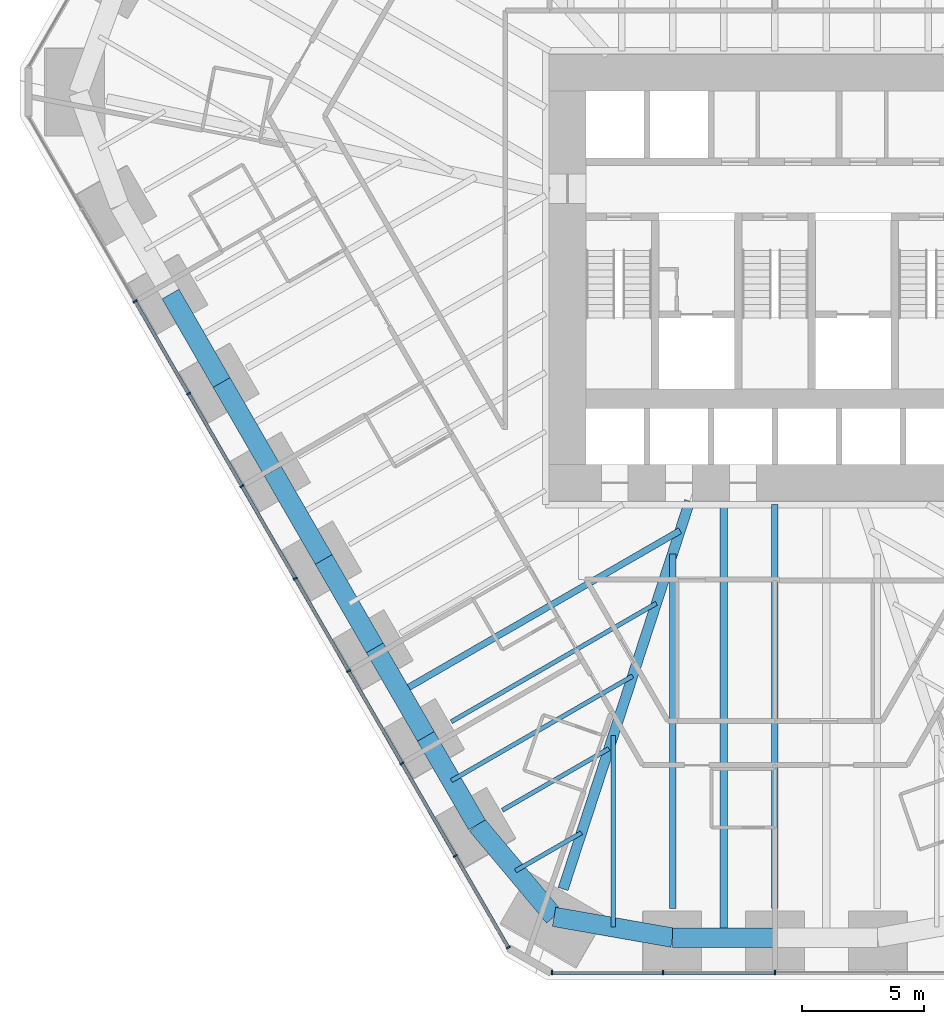
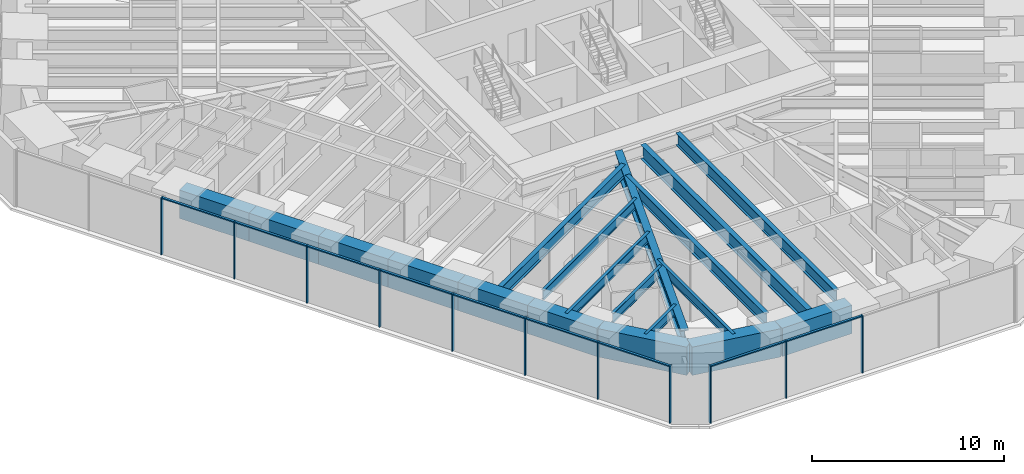
# One storey, part 2 of 17: 20 members, 19 beams, 2 elements without a shape of their own.
"""IFC4 building model written with IfcOpenShell, lengths in metres."""

from ifc_helpers import new_model, si_unit, direction, frame, origin, origin_2d, place, context, subcontext, project, spatial, rectangle, i_section, extrude, material, material_profile, profile_set, type_object, element, aggregate, save


model = new_model("IFC4")

# Units and contexts
model_context = context("Model", 3, precision=1e-05, world=origin(), true_north=direction((0.0, 1.0)))
body_context = subcontext(model_context, "Body", "Model", "MODEL_VIEW")
ifc_project = project(units=[si_unit("LENGTHUNIT", "METRE"), si_unit("AREAUNIT", "SQUARE_METRE"), si_unit("VOLUMEUNIT", "CUBIC_METRE"), si_unit("PLANEANGLEUNIT", "RADIAN"), si_unit("MASSUNIT", "GRAM", prefix="KILO")], contexts=[model_context])

# Site, building, storey
site_placement = place(None, origin())
site = spatial("IfcSite", under=ifc_project, at=site_placement, CompositionType="ELEMENT")
building_placement = place(site_placement, origin())
building = spatial("IfcBuilding", under=site, at=building_placement, Name="Sandreach Pilgrim Tower", CompositionType="ELEMENT")
storey_placement = place(building_placement, frame((0.0, 0.0, 57.199951171875)))
storey = spatial("IfcBuildingStorey", under=building, at=storey_placement, Name="L13", CompositionType="ELEMENT", Elevation=57.199951171875)

# Curtain wall, members
ifc_material_1 = material(Name="Aluminium framed curtain wall", Category="aluminium")
curtain_wall_type = type_object("IfcCurtainWallType", Name="Hostel tower curtain wall", PredefinedType="NOTDEFINED", material=ifc_material_1)
curtain_wall_1_placement = place(storey_placement, origin())
curtain_wall_1 = element("IfcCurtainWall", 1, at=curtain_wall_1_placement, inside=storey, type_object=curtain_wall_type, Name="CW-1 L13 S", PredefinedType="NOTDEFINED")
ifc_material_2 = material(Name="Aluminium extrusion", Category="aluminium")
ifc_material_profile_1 = material_profile(ifc_material_2, rectangle(XDim=0.06494140625, YDim=0.179931640625, at=origin_2d()), Name="CW-1M 65X180")
ifc_profile_set_1 = profile_set([ifc_material_profile_1], Name="Aluminium extrusion")
member_type_1 = type_object("IfcMemberType", Name="CW-1 mullion", PredefinedType="MULLION", material=ifc_profile_set_1)
member_1_placement = place(storey_placement, frame((0.0, -30.010986328125, 0.0), z_axis=(0.0, 0.0, 1.0), x_axis=(-1.0, 0.0, 0.0)))
member_1 = element("IfcMember", 2, at=member_1_placement, type_object=member_type_1, Name="CW-1 mullion 3", PredefinedType="MULLION", context=body_context, shape_type="SweptSolid", body=[
    extrude(rectangle(XDim=0.06494140625, YDim=0.179931640625, at=origin_2d()), origin(), (0.0, 0.0, 1.0), 3.64013671875),
])
member_2_placement = place(storey_placement, frame((-4.5859375, -30.010986328125, 0.0), z_axis=(0.0, 0.0, 1.0), x_axis=(-1.0, 0.0, 0.0)))
member_2 = element("IfcMember", 3, at=member_2_placement, type_object=member_type_1, Name="CW-1 mullion 4", PredefinedType="MULLION", context=body_context, shape_type="SweptSolid", body=[
    extrude(rectangle(XDim=0.06494140625, YDim=0.179931640625, at=origin_2d()), origin(), (0.0, 0.0, 1.0), 3.64013671875),
])
member_3_placement = place(storey_placement, frame((-9.1396484375, -30.010986328125, 0.0), z_axis=(0.0, 0.0, 1.0), x_axis=(-1.0, 0.0, 0.0)))
member_3 = element("IfcMember", 4, at=member_3_placement, type_object=member_type_1, Name="CW-1 mullion 5", PredefinedType="MULLION", context=body_context, shape_type="SweptSolid", body=[
    extrude(rectangle(XDim=0.06494140625, YDim=0.179931640625, at=origin_2d()), origin(), (0.0, 0.0, 1.0), 3.64013671875),
])

curtain_wall_2_placement = place(storey_placement, origin())
curtain_wall_2 = element("IfcCurtainWall", 5, at=curtain_wall_2_placement, inside=storey, type_object=curtain_wall_type, Name="CW-1 L13 SW", PredefinedType="NOTDEFINED")
member_4_placement = place(storey_placement, frame((-10.92041015625, -28.982666015625, 0.0), z_axis=(0.0, 0.0, 1.0), x_axis=(-0.5, 0.866025403784, 0.0)))
member_4 = element("IfcMember", 6, at=member_4_placement, type_object=member_type_1, Name="CW-1 mullion 1", PredefinedType="MULLION", context=body_context, shape_type="SweptSolid", body=[
    extrude(rectangle(XDim=0.06494140625, YDim=0.179931640625, at=origin_2d()), origin(), (0.0, 0.0, 1.0), 3.64013671875),
])
member_5_placement = place(storey_placement, frame((-13.08984375, -25.22509765625, 0.0), z_axis=(0.0, 0.0, 1.0), x_axis=(-0.5, 0.866025403784, 0.0)))
member_5 = element("IfcMember", 7, at=member_5_placement, type_object=member_type_1, Name="CW-1 mullion 2", PredefinedType="MULLION", context=body_context, shape_type="SweptSolid", body=[
    extrude(rectangle(XDim=0.06494140625, YDim=0.179931640625, at=origin_2d()), origin(), (0.0, 0.0, 1.0), 3.64013671875),
])
member_6_placement = place(storey_placement, frame((-15.275634765625, -21.439208984375, 0.0), z_axis=(0.0, 0.0, 1.0), x_axis=(-0.5, 0.866025403784, 0.0)))
member_6 = element("IfcMember", 8, at=member_6_placement, type_object=member_type_1, Name="CW-1 mullion 3", PredefinedType="MULLION", context=body_context, shape_type="SweptSolid", body=[
    extrude(rectangle(XDim=0.06494140625, YDim=0.179931640625, at=origin_2d()), origin(), (0.0, 0.0, 1.0), 3.64013671875),
])
member_7_placement = place(storey_placement, frame((-17.46142578125, -17.6533203125, 0.0), z_axis=(0.0, 0.0, 1.0), x_axis=(-0.5, 0.866025403784, 0.0)))
member_7 = element("IfcMember", 9, at=member_7_placement, type_object=member_type_1, Name="CW-1 mullion 4", PredefinedType="MULLION", context=body_context, shape_type="SweptSolid", body=[
    extrude(rectangle(XDim=0.06494140625, YDim=0.179931640625, at=origin_2d()), origin(), (0.0, 0.0, 1.0), 3.64013671875),
])
member_8_placement = place(storey_placement, frame((-19.647216796875, -13.8671875, 0.0), z_axis=(0.0, 0.0, 1.0), x_axis=(-0.5, 0.866025403784, 0.0)))
member_8 = element("IfcMember", 10, at=member_8_placement, type_object=member_type_1, Name="CW-1 mullion 5", PredefinedType="MULLION", context=body_context, shape_type="SweptSolid", body=[
    extrude(rectangle(XDim=0.06494140625, YDim=0.179931640625, at=origin_2d()), origin(), (0.0, 0.0, 1.0), 3.64013671875),
])
member_9_placement = place(storey_placement, frame((-21.8330078125, -10.081298828125, 0.0), z_axis=(0.0, 0.0, 1.0), x_axis=(-0.5, 0.866025403784, 0.0)))
member_9 = element("IfcMember", 11, at=member_9_placement, type_object=member_type_1, Name="CW-1 mullion 6", PredefinedType="MULLION", context=body_context, shape_type="SweptSolid", body=[
    extrude(rectangle(XDim=0.06494140625, YDim=0.179931640625, at=origin_2d()), origin(), (0.0, 0.0, 1.0), 3.64013671875),
])
member_10_placement = place(storey_placement, frame((-24.018798828125, -6.29541015625, 0.0), z_axis=(0.0, 0.0, 1.0), x_axis=(-0.5, 0.866025403784, 0.0)))
member_10 = element("IfcMember", 12, at=member_10_placement, type_object=member_type_1, Name="CW-1 mullion 7", PredefinedType="MULLION", context=body_context, shape_type="SweptSolid", body=[
    extrude(rectangle(XDim=0.06494140625, YDim=0.179931640625, at=origin_2d()), origin(), (0.0, 0.0, 1.0), 3.64013671875),
])
member_11_placement = place(storey_placement, frame((-26.20458984375, -2.509521484375, 0.0), z_axis=(0.0, 0.0, 1.0), x_axis=(-0.5, 0.866025403784, 0.0)))
member_11 = element("IfcMember", 13, at=member_11_placement, type_object=member_type_1, Name="CW-1 mullion 8", PredefinedType="MULLION", context=body_context, shape_type="SweptSolid", body=[
    extrude(rectangle(XDim=0.06494140625, YDim=0.179931640625, at=origin_2d()), origin(), (0.0, 0.0, 1.0), 3.64013671875),
])

# Member
ifc_material_3 = material(Name="Aluminium extrusion", Category="aluminium")
ifc_material_profile_2 = material_profile(ifc_material_3, rectangle(XDim=0.139892578125, YDim=0.070068359375, at=origin_2d()), Name="CW-1T 140X70")
ifc_profile_set_2 = profile_set([ifc_material_profile_2], Name="Aluminium extrusion")
member_type_2 = type_object("IfcMemberType", Name="CW-1 transom", PredefinedType="USERDEFINED", material=ifc_profile_set_2)
member_12_placement = place(storey_placement, frame((-0.032470703125, -30.010986328125, 3.60498046875), z_axis=(-1.0, 0.0, 0.0), x_axis=(0.0, -1.0, 0.0)))
member_12 = element("IfcMember", 14, at=member_12_placement, type_object=member_type_2, Name="CW-1 head transom 3", ObjectType="TRANSOM", PredefinedType="USERDEFINED", context=body_context, shape_type="SweptSolid", body=[
    extrude(rectangle(XDim=0.139892578125, YDim=0.070068359375, at=origin_2d()), origin(), (0.0, 0.0, 1.0), 4.52099609375),
])

member_13_placement = place(storey_placement, frame((-4.61865234375, -30.010986328125, 3.60498046875), z_axis=(-1.0, 0.0, 0.0), x_axis=(0.0, -1.0, 0.0)))
member_13 = element("IfcMember", 15, at=member_13_placement, type_object=member_type_2, Name="CW-1 head transom 4", ObjectType="TRANSOM", PredefinedType="USERDEFINED", context=body_context, shape_type="SweptSolid", body=[
    extrude(rectangle(XDim=0.139892578125, YDim=0.070068359375, at=origin_2d()), origin(), (0.0, 0.0, 1.0), 4.488525390625),
])

aggregate(curtain_wall_1, [member_1, member_2, member_3, member_12, member_13])

member_14_placement = place(storey_placement, frame((-10.9365234375, -28.95458984375, 3.60498046875), z_axis=(-0.500033953635, 0.866005799756, 0.0), x_axis=(-0.866005799756, -0.500033953635, 0.0)))
member_14 = element("IfcMember", 16, at=member_14_placement, type_object=member_type_2, Name="CW-1 head transom 1", ObjectType="TRANSOM", PredefinedType="USERDEFINED", context=body_context, shape_type="SweptSolid", body=[
    extrude(rectangle(XDim=0.139892578125, YDim=0.070068359375, at=origin_2d()), origin(), (0.0, 0.0, 1.0), 4.274169921875),
])

member_15_placement = place(storey_placement, frame((-13.106201171875, -25.19677734375, 3.60498046875), z_axis=(-0.500016891966, 0.866015650984, 0.0), x_axis=(-0.866015650984, -0.500016891966, 0.0)))
member_15 = element("IfcMember", 17, at=member_15_placement, type_object=member_type_2, Name="CW-1 head transom 2", ObjectType="TRANSOM", PredefinedType="USERDEFINED", context=body_context, shape_type="SweptSolid", body=[
    extrude(rectangle(XDim=0.139892578125, YDim=0.070068359375, at=origin_2d()), origin(), (0.0, 0.0, 1.0), 4.306396484375),
])

member_16_placement = place(storey_placement, frame((-15.2919921875, -21.410888671875, 3.60498046875), z_axis=(-0.500016891966, 0.866015650984, 0.0), x_axis=(-0.866015650984, -0.500016891966, 0.0)))
member_16 = element("IfcMember", 18, at=member_16_placement, type_object=member_type_2, Name="CW-1 head transom 3", ObjectType="TRANSOM", PredefinedType="USERDEFINED", context=body_context, shape_type="SweptSolid", body=[
    extrude(rectangle(XDim=0.139892578125, YDim=0.070068359375, at=origin_2d()), origin(), (0.0, 0.0, 1.0), 4.306396484375),
])

member_17_placement = place(storey_placement, frame((-17.477783203125, -17.625, 3.60498046875), z_axis=(-0.500016891966, 0.866015650984, 0.0), x_axis=(-0.866015650984, -0.500016891966, 0.0)))
member_17 = element("IfcMember", 19, at=member_17_placement, type_object=member_type_2, Name="CW-1 head transom 4", ObjectType="TRANSOM", PredefinedType="USERDEFINED", context=body_context, shape_type="SweptSolid", body=[
    extrude(rectangle(XDim=0.139892578125, YDim=0.070068359375, at=origin_2d()), origin(), (0.0, 0.0, 1.0), 4.306396484375),
])

member_18_placement = place(storey_placement, frame((-19.66357421875, -13.839111328125, 3.60498046875), z_axis=(-0.500016891966, 0.866015650984, 0.0), x_axis=(-0.866015650984, -0.500016891966, 0.0)))
member_18 = element("IfcMember", 20, at=member_18_placement, type_object=member_type_2, Name="CW-1 head transom 5", ObjectType="TRANSOM", PredefinedType="USERDEFINED", context=body_context, shape_type="SweptSolid", body=[
    extrude(rectangle(XDim=0.139892578125, YDim=0.070068359375, at=origin_2d()), origin(), (0.0, 0.0, 1.0), 4.306396484375),
])

member_19_placement = place(storey_placement, frame((-21.849365234375, -10.05322265625, 3.60498046875), z_axis=(-0.500016891966, 0.866015650984, 0.0), x_axis=(-0.866015650984, -0.500016891966, 0.0)))
member_19 = element("IfcMember", 21, at=member_19_placement, type_object=member_type_2, Name="CW-1 head transom 6", ObjectType="TRANSOM", PredefinedType="USERDEFINED", context=body_context, shape_type="SweptSolid", body=[
    extrude(rectangle(XDim=0.139892578125, YDim=0.070068359375, at=origin_2d()), origin(), (0.0, 0.0, 1.0), 4.306396484375),
])

member_20_placement = place(storey_placement, frame((-24.03515625, -6.267333984375, 3.60498046875), z_axis=(-0.500016891966, 0.866015650984, 0.0), x_axis=(-0.866015650984, -0.500016891966, 0.0)))
member_20 = element("IfcMember", 22, at=member_20_placement, type_object=member_type_2, Name="CW-1 head transom 7", ObjectType="TRANSOM", PredefinedType="USERDEFINED", context=body_context, shape_type="SweptSolid", body=[
    extrude(rectangle(XDim=0.139892578125, YDim=0.070068359375, at=origin_2d()), origin(), (0.0, 0.0, 1.0), 4.306396484375),
])

aggregate(curtain_wall_2, [member_4, member_5, member_6, member_7, member_8, member_9, member_10, member_11, member_14, member_15, member_16, member_17, member_18, member_19, member_20])

# Beams
ifc_material_4 = material(Name="Steel ASTM A992 Grade 50", Category="steel")
ifc_material_profile_3 = material_profile(ifc_material_4, i_section(OverallWidth=0.424072265625, OverallDepth=0.965087890625, WebThickness=0.028564453125, FlangeThickness=0.051025390625, at=origin_2d()), Name="W36X361")
ifc_profile_set_3 = profile_set([ifc_material_profile_3], Name="Steel ASTM A992 Grade 50")
beam_type_1 = type_object("IfcBeamType", Name="Corner girder W36X361", PredefinedType="BEAM", material=ifc_profile_set_3)
beam_1_placement = place(storey_placement, frame((-8.677490234375, -26.583251953125, 3.157470703125), z_axis=(0.310316896181, 0.950633170021, 0.0), x_axis=(-0.950633170021, 0.310316896181, 0.0)))
element("IfcBeam", 23, at=beam_1_placement, inside=storey, type_object=beam_type_1, Name="BM L13 CG26", PredefinedType="BEAM", context=body_context, shape_type="SweptSolid", body=[
    extrude(i_section(OverallWidth=0.424072265625, OverallDepth=0.965087890625, WebThickness=0.028564453125, FlangeThickness=0.051025390625, at=origin_2d()), origin(), (0.0, 0.0, 1.0), 16.7080078125),
])
ifc_material_5 = material(Name="Steel ASTM A992 Grade 50", Category="steel")
ifc_material_profile_4 = material_profile(ifc_material_5, i_section(OverallWidth=0.1787109375, OverallDepth=0.60205078125, WebThickness=0.010986328125, FlangeThickness=0.014892578125, at=origin_2d()), Name="W24X62")
ifc_profile_set_4 = profile_set([ifc_material_profile_4], Name="Steel ASTM A992 Grade 50")
beam_type_2 = type_object("IfcBeamType", Name="Floor beam W24X62", PredefinedType="BEAM", material=ifc_profile_set_4)
beam_2_placement = place(storey_placement, frame((-11.166748046875, -23.356689453125, 3.339111328125), z_axis=(0.866025882247, 0.499999171277, 0.0), x_axis=(-0.499999171277, 0.866025882247, 0.0)))
element("IfcBeam", 24, at=beam_2_placement, inside=storey, type_object=beam_type_2, Name="BM L13 F27", PredefinedType="BEAM", context=body_context, shape_type="SweptSolid", body=[
    extrude(i_section(OverallWidth=0.1787109375, OverallDepth=0.60205078125, WebThickness=0.010986328125, FlangeThickness=0.014892578125, at=origin_2d()), origin(), (0.0, 0.0, 1.0), 5.04052734375),
])
beam_3_placement = place(storey_placement, frame((-13.2587890625, -19.733154296875, 3.339111328125), z_axis=(0.866025898704, 0.499999142773, 0.0), x_axis=(-0.499999142773, 0.866025898704, 0.0)))
element("IfcBeam", 25, at=beam_3_placement, inside=storey, type_object=beam_type_2, Name="BM L13 F28", PredefinedType="BEAM", context=body_context, shape_type="SweptSolid", body=[
    extrude(i_section(OverallWidth=0.1787109375, OverallDepth=0.60205078125, WebThickness=0.010986328125, FlangeThickness=0.014892578125, at=origin_2d()), origin(), (0.0, 0.0, 1.0), 9.7001953125),
])
beam_4_placement = place(storey_placement, frame((-6.623291015625, -28.150146484375, 3.339111328125), z_axis=(0.0, 1.0, 0.0), x_axis=(-1.0, 0.0, 0.0)))
element("IfcBeam", 26, at=beam_4_placement, inside=storey, type_object=beam_type_2, Name="BM L13 FM25", PredefinedType="BEAM", context=body_context, shape_type="SweptSolid", body=[
    extrude(i_section(OverallWidth=0.1787109375, OverallDepth=0.60205078125, WebThickness=0.010986328125, FlangeThickness=0.014892578125, at=origin_2d()), origin(), (0.0, 0.0, 1.0), 7.85986328125),
])
beam_5_placement = place(storey_placement, frame((-10.6279296875, -25.84033203125, 3.339111328125), z_axis=(0.866029224906, 0.499993381564, 0.0), x_axis=(-0.499993381564, 0.866029224906, 0.0)))
element("IfcBeam", 27, at=beam_5_placement, inside=storey, type_object=beam_type_2, Name="BM L13 FM26", PredefinedType="BEAM", context=body_context, shape_type="SweptSolid", body=[
    extrude(i_section(OverallWidth=0.1787109375, OverallDepth=0.60205078125, WebThickness=0.010986328125, FlangeThickness=0.014892578125, at=origin_2d()), origin(), (0.0, 0.0, 1.0), 3.1201171875),
])
beam_6_placement = place(storey_placement, frame((-13.251953125, -22.14501953125, 3.339111328125), z_axis=(0.866013383541, 0.500020819095, 0.0), x_axis=(-0.500020819095, 0.866013383541, 0.0)))
element("IfcBeam", 28, at=beam_6_placement, inside=storey, type_object=beam_type_2, Name="BM L13 FM27", PredefinedType="BEAM", context=body_context, shape_type="SweptSolid", body=[
    extrude(i_section(OverallWidth=0.1787109375, OverallDepth=0.60205078125, WebThickness=0.010986328125, FlangeThickness=0.014892578125, at=origin_2d()), origin(), (0.0, 0.0, 1.0), 8.570556640625),
])
ifc_material_6 = material(Name="Steel ASTM A992 Grade 50", Category="steel")
ifc_material_profile_5 = material_profile(ifc_material_6, i_section(OverallWidth=0.2666015625, OverallDepth=0.761962890625, WebThickness=0.014404296875, FlangeThickness=0.021484375, at=origin_2d()), Name="W30X116")
ifc_profile_set_5 = profile_set([ifc_material_profile_5], Name="Steel ASTM A992 Grade 50")
beam_type_3 = type_object("IfcBeamType", Name="Floor beam W30X116", PredefinedType="BEAM", material=ifc_profile_set_5)
beam_7_placement = place(storey_placement, frame((-4.19677734375, -27.37646484375, 3.259033203125), z_axis=(0.0, 1.0, 0.0), x_axis=(-1.0, 0.0, 0.0)))
element("IfcBeam", 29, at=beam_7_placement, inside=storey, type_object=beam_type_3, Name="BM L13 F25", PredefinedType="BEAM", context=body_context, shape_type="SweptSolid", body=[
    extrude(i_section(OverallWidth=0.2666015625, OverallDepth=0.761962890625, WebThickness=0.014404296875, FlangeThickness=0.021484375, at=origin_2d()), origin(), (0.0, 0.0, 1.0), 14.52001953125),
])
beam_8_placement = place(storey_placement, frame((-15.343994140625, -18.521484375, 3.259033203125), z_axis=(0.866021174908, 0.500007324557, 0.0), x_axis=(-0.500007324557, 0.866021174908, 0.0)))
element("IfcBeam", 30, at=beam_8_placement, inside=storey, type_object=beam_type_3, Name="BM L13 FM28", PredefinedType="BEAM", context=body_context, shape_type="SweptSolid", body=[
    extrude(i_section(OverallWidth=0.2666015625, OverallDepth=0.761962890625, WebThickness=0.014404296875, FlangeThickness=0.021484375, at=origin_2d()), origin(), (0.0, 0.0, 1.0), 13.229736328125),
])
ifc_material_7 = material(Name="Steel ASTM A992 Grade 50", Category="steel")
ifc_material_profile_6 = material_profile(ifc_material_7, i_section(OverallWidth=0.2666015625, OverallDepth=0.77978515625, WebThickness=0.0166015625, FlangeThickness=0.030029296875, at=origin_2d()), Name="W30X148")
ifc_profile_set_6 = profile_set([ifc_material_profile_6], Name="Steel ASTM A992 Grade 50")
beam_type_4 = type_object("IfcBeamType", Name="Floor beam W30X148", PredefinedType="BEAM", material=ifc_profile_set_6)
beam_9_placement = place(storey_placement, frame((0.0, -27.37646484375, 3.250244140625), z_axis=(0.0, 1.0, 0.0), x_axis=(-1.0, 0.0, 0.0)))
element("IfcBeam", 31, at=beam_9_placement, inside=storey, type_object=beam_type_4, Name="BM L13 F24", PredefinedType="BEAM", context=body_context, shape_type="SweptSolid", body=[
    extrude(i_section(OverallWidth=0.2666015625, OverallDepth=0.77978515625, WebThickness=0.0166015625, FlangeThickness=0.030029296875, at=origin_2d()), origin(), (0.0, 0.0, 1.0), 16.533203125),
])
ifc_material_8 = material(Name="Steel ASTM A992 Grade 50", Category="steel")
ifc_material_profile_7 = material_profile(ifc_material_8, i_section(OverallWidth=0.3046875, OverallDepth=0.914306640625, WebThickness=0.0166015625, FlangeThickness=0.02587890625, at=origin_2d()), Name="W36X160")
ifc_profile_set_7 = profile_set([ifc_material_profile_7], Name="Steel ASTM A992 Grade 50")
beam_type_5 = type_object("IfcBeamType", Name="Floor beam W36X160", PredefinedType="BEAM", material=ifc_profile_set_7)
beam_10_placement = place(storey_placement, frame((-2.098388671875, -28.576416015625, 3.182861328125), z_axis=(0.0, 1.0, 0.0), x_axis=(-1.0, 0.0, 0.0)))
element("IfcBeam", 32, at=beam_10_placement, inside=storey, type_object=beam_type_5, Name="BM L13 FM24", PredefinedType="BEAM", context=body_context, shape_type="SweptSolid", body=[
    extrude(i_section(OverallWidth=0.3046875, OverallDepth=0.914306640625, WebThickness=0.0166015625, FlangeThickness=0.02587890625, at=origin_2d()), origin(), (0.0, 0.0, 1.0), 17.733154296875),
])
ifc_material_9 = material(Name="Concrete 10000 psi", Category="concrete")
ifc_material_profile_8 = material_profile(ifc_material_9, rectangle(XDim=0.800048828125, YDim=1.800048828125, at=origin_2d()), Name="RC800X1800")
ifc_profile_set_8 = profile_set([ifc_material_profile_8], Name="Concrete 10000 psi")
beam_type_6 = type_object("IfcBeamType", Name="Spandrel beam RC800X1800", PredefinedType="SPANDREL", material=ifc_profile_set_8)
beam_11_placement = place(storey_placement, frame((0.0, -28.576416015625, 2.739990234375), z_axis=(-1.0, 0.0, 0.0), x_axis=(0.0, -1.0, 0.0)))
element("IfcBeam", 33, at=beam_11_placement, inside=storey, type_object=beam_type_6, Name="BM L13 SP24", PredefinedType="SPANDREL", context=body_context, shape_type="SweptSolid", body=[
    extrude(rectangle(XDim=0.800048828125, YDim=1.800048828125, at=origin_2d()), origin(), (0.0, 0.0, 1.0), 4.19677734375),
])
beam_12_placement = place(storey_placement, frame((-4.19677734375, -28.576416015625, 2.739990234375), z_axis=(-0.984917940933, 0.173022107342, 0.0), x_axis=(-0.173022107342, -0.984917940933, 0.0)))
element("IfcBeam", 34, at=beam_12_placement, inside=storey, type_object=beam_type_6, Name="BM L13 SP25", PredefinedType="SPANDREL", context=body_context, shape_type="SweptSolid", body=[
    extrude(rectangle(XDim=0.800048828125, YDim=1.800048828125, at=origin_2d()), origin(), (0.0, 0.0, 1.0), 4.92724609375),
])
beam_13_placement = place(storey_placement, frame((-9.0498046875, -27.723876953125, 2.739990234375), z_axis=(-0.642200141583, 0.766537003772, 0.0), x_axis=(-0.766537003772, -0.642200141583, 0.0)))
element("IfcBeam", 35, at=beam_13_placement, inside=storey, type_object=beam_type_6, Name="BM L13 SP26", PredefinedType="SPANDREL", context=body_context, shape_type="SweptSolid", body=[
    extrude(rectangle(XDim=0.800048828125, YDim=1.800048828125, at=origin_2d()), origin(), (0.0, 0.0, 1.0), 4.914794921875),
])
beam_14_placement = place(storey_placement, frame((-12.2060546875, -23.95654296875, 2.739990234375), z_axis=(-0.500023836355, 0.866011641421, 0.0), x_axis=(-0.866011641421, -0.500023836355, 0.0)))
element("IfcBeam", 36, at=beam_14_placement, inside=storey, type_object=beam_type_6, Name="BM L13 SP27", PredefinedType="SPANDREL", context=body_context, shape_type="SweptSolid", body=[
    extrude(rectangle(XDim=0.800048828125, YDim=1.800048828125, at=origin_2d()), origin(), (0.0, 0.0, 1.0), 4.183837890625),
])
for number, where, z_axis, x_axis, name in (
    (37, (-14.298095703125, -20.333251953125, 2.739990234375), (-0.499998569178, 0.866026229868, 0.0), (-0.866026229868, -0.499998569178, 0.0), "BM L13 SP28"),
    (38, (-16.39013671875, -16.709716796875, 2.739990234375), (-0.499998569178, 0.866026229868, 0.0), (-0.866026229868, -0.499998569178, 0.0), "BM L13 SP29"),
):
    element("IfcBeam", number, at=place(storey_placement, frame(where, z_axis=z_axis, x_axis=x_axis)), inside=storey, type_object=beam_type_6, Name=name, PredefinedType="SPANDREL", context=body_context, shape_type="SweptSolid", body=[
        extrude(rectangle(XDim=0.800048828125, YDim=1.800048828125, at=origin_2d()), origin(), (0.0, 0.0, 1.0), 4.18408203125),
    ])
beam_15_placement = place(storey_placement, frame((-18.482177734375, -13.086181640625, 2.739990234375), z_axis=(-0.499980071345, 0.866036909293, 0.0), x_axis=(-0.866036909293, -0.499980071345, 0.0)))
element("IfcBeam", 39, at=beam_15_placement, inside=storey, type_object=beam_type_6, Name="BM L13 SP30", PredefinedType="SPANDREL", context=body_context, shape_type="SweptSolid", body=[
    extrude(rectangle(XDim=0.800048828125, YDim=1.800048828125, at=origin_2d()), origin(), (0.0, 0.0, 1.0), 4.183837890625),
])
for number, where, z_axis, x_axis, name in (
    (40, (-20.573974609375, -9.462890625, 2.739990234375), (-0.499998569178, 0.866026229868, 0.0), (-0.866026229868, -0.499998569178, 0.0), "BM L13 SP31"),
    (41, (-22.666015625, -5.83935546875, 2.739990234375), (-0.499998569178, 0.866026229868, 0.0), (-0.866026229868, -0.499998569178, 0.0), "BM L13 SP32"),
):
    element("IfcBeam", number, at=place(storey_placement, frame(where, z_axis=z_axis, x_axis=x_axis)), inside=storey, type_object=beam_type_6, Name=name, PredefinedType="SPANDREL", context=body_context, shape_type="SweptSolid", body=[
        extrude(rectangle(XDim=0.800048828125, YDim=1.800048828125, at=origin_2d()), origin(), (0.0, 0.0, 1.0), 4.18408203125),
    ])

save(model, "model.ifc")
